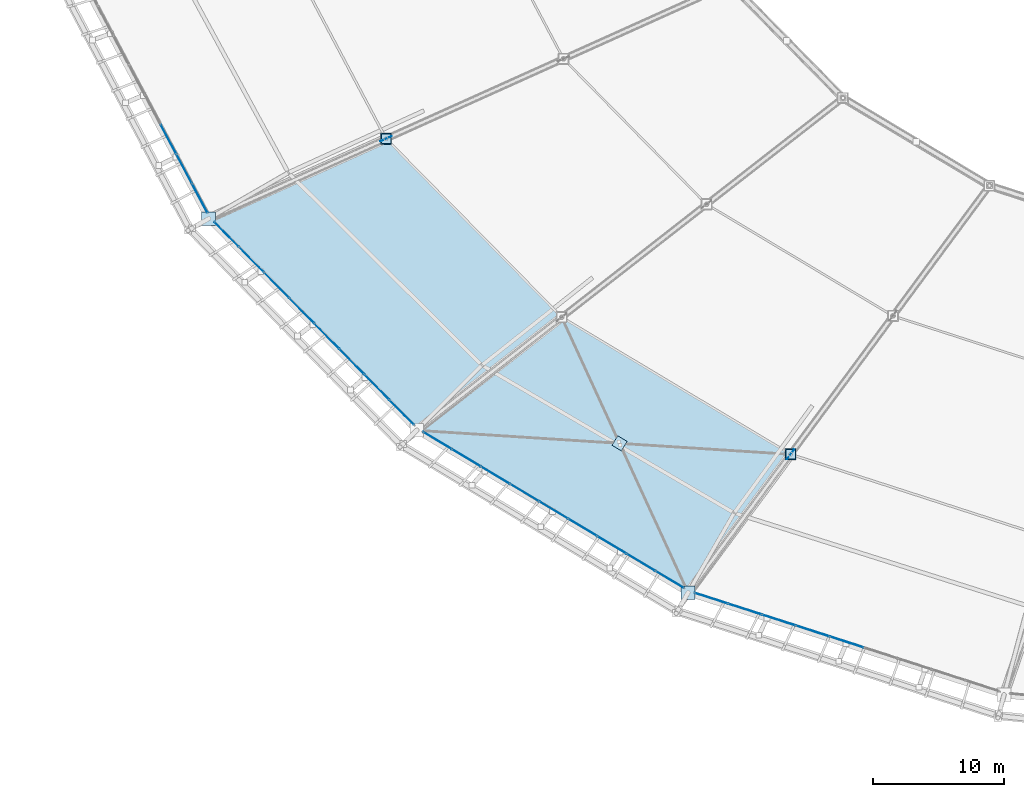
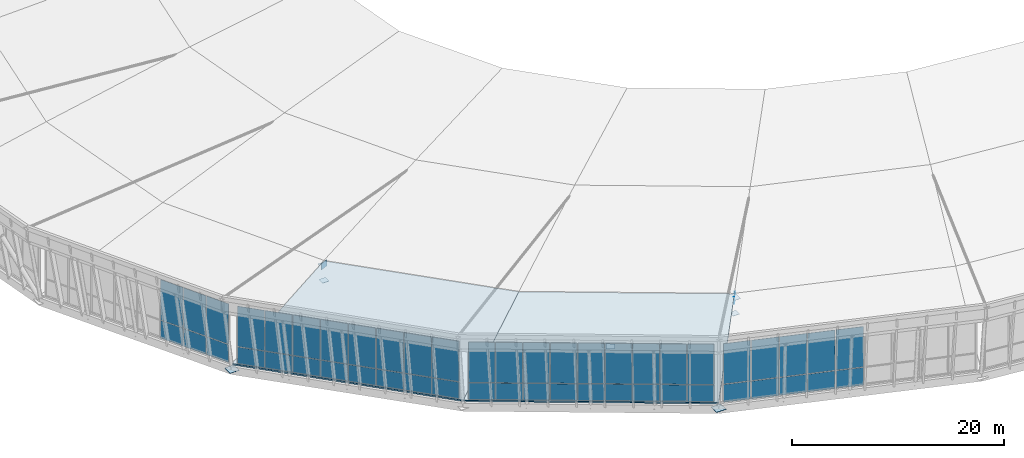
# One storey, part 79 of 115: 59 plates, 2 slabs, 6 elements without a shape of their own.
"""IFC4 building model written with IfcOpenShell, lengths in metres."""

from ifc_helpers import new_model, si_unit, direction, frame, origin, origin_2d, place, context, subcontext, project, spatial, polyline, rectangle, outline, extrude, material, layer, layer_set, type_object, element, aggregate, save


model = new_model("IFC4")

# Units and contexts
model_context = context("Model", 3, precision=1e-05, world=origin(), true_north=direction((0.0, 1.0)))
body_context = subcontext(model_context, "Body", "Model", "MODEL_VIEW")
ifc_project = project(units=[si_unit("LENGTHUNIT", "METRE"), si_unit("AREAUNIT", "SQUARE_METRE"), si_unit("VOLUMEUNIT", "CUBIC_METRE"), si_unit("PLANEANGLEUNIT", "RADIAN"), si_unit("MASSUNIT", "GRAM", prefix="KILO")], contexts=[model_context])

# Site, building, storey
site_placement = place(None, origin())
site = spatial("IfcSite", under=ifc_project, at=site_placement, CompositionType="ELEMENT")
building_placement = place(site_placement, origin())
building = spatial("IfcBuilding", under=site, at=building_placement, Name="Zlatoyarsky Gate Stadium", CompositionType="ELEMENT")
storey_placement = place(building_placement, frame((0.0, 0.0, 31.800048828125)))
storey = spatial("IfcBuildingStorey", under=building, at=storey_placement, Name="RF", CompositionType="ELEMENT", Elevation=31.800048828125)

# Roof, slab
ifc_material_1 = material(Name="Standing-seam aluminium-zinc roofing with mineral wool insulation", Category="aluminium")
ifc_layer_1 = layer(ifc_material_1, 0.080078125)
ifc_layer_set_1 = layer_set([ifc_layer_1], Name="Standing-seam aluminium-zinc roofing with mineral wool insulation")
roof_type = type_object("IfcRoofType", Name="STADIUM BARREL VAULT ROOF ASSEMBLY", PredefinedType="BARREL_ROOF", material=ifc_layer_set_1)
roof_1_placement = place(storey_placement, origin())
roof_1 = element("IfcRoof", 1, at=roof_1_placement, inside=storey, type_object=roof_type, Name="Stadium barrel arch roof sector 5", PredefinedType="BARREL_ROOF")
ifc_material_2 = material(Name="Concrete C40/50", Category="concrete")
ifc_layer_2 = layer(ifc_material_2, 0.199951171875)
ifc_layer_set_2 = layer_set([ifc_layer_2], Name="Concrete C40/50")
slab_type = type_object("IfcSlabType", Name="COMPOSITE STADIUM ROOF DECK SLAB 200", PredefinedType="ROOF", material=ifc_layer_set_2)
slab_1_placement = place(storey_placement, frame((24.37353515625, 40.986083984375, 0.199951171875), z_axis=(-0.168948625829, -0.166192117478, 0.971512502194), x_axis=(0.701266900285, -0.712898824915, -8.8643e-08)))
slab_1 = element("IfcSlab", 2, at=slab_1_placement, type_object=slab_type, Name="Stadium arched roof deck sector 14 bay 1", PredefinedType="ROOF", context=body_context, shape_type="SweptSolid", body=[
    extrude(outline(polyline([(0.0, 0.0), (22.667889468842993, 0.0), (24.273771870630213, 14.346296345083724), (5.151031200888392, 14.346280713684154), (0.0, 0.0)])), origin(), (0.0, 0.0, -1.0), 0.199951171875),
])
aggregate(roof_1, [slab_1])

roof_2_placement = place(storey_placement, origin())
roof_2 = element("IfcRoof", 3, at=roof_2_placement, inside=storey, type_object=roof_type, Name="Stadium barrel arch roof sector 6", PredefinedType="BARREL_ROOF")
slab_2_placement = place(storey_placement, frame((40.269775390625, 24.826171875, 0.199951171875), z_axis=(-0.129152879329, -0.215770189277, 0.967865052154), x_axis=(0.8580340905, -0.51359273704, -4.42967e-07)))
slab_2 = element("IfcSlab", 4, at=slab_2_placement, type_object=slab_type, Name="Stadium arched roof deck sector 15 bay 1", PredefinedType="ROOF", context=body_context, shape_type="SweptSolid", body=[
    extrude(outline(polyline([(0.0, 0.0), (24.1439241753555, 0.0), (25.42773523422691, 13.520147369410285), (5.059922171680651, 13.520068961575207), (0.0, 0.0)])), origin(), (0.0, 0.0, -1.0), 0.199951171875),
])
aggregate(roof_2, [slab_2])

# Plates
ifc_material_3 = material(Name="Steel S355", Category="steel")
ifc_layer_3 = layer(ifc_material_3, 0.02392578125)
ifc_layer_set_3 = layer_set([ifc_layer_3], Name="Steel S355")
plate_type_1 = type_object("IfcPlateType", Name="STEEL COMPRESSION RING NODE CAP SHEET 24", PredefinedType="SHEET", material=ifc_layer_set_3)
for number, where, z_axis, x_axis, name in (
    (5, (24.37353515625, 40.986083984375, -0.4619140625), (0.0, 0.0, 1.0), (1.0, 0.0, 0.0), "Node closure plate ND-CR1 NCAP-CR-14"),
    (6, (60.986083984375, 12.426025390625, -0.4619140625), (0.0, 0.0, 1.0), (1.0, 0.0, 0.0), "Node closure plate ND-CR1 NCAP-CR-16"),
):
    element("IfcPlate", number, at=place(storey_placement, frame(where, z_axis=z_axis, x_axis=x_axis)), inside=storey, type_object=plate_type_1, Name=name, PredefinedType="SHEET", context=body_context, shape_type="SweptSolid", body=[
        extrude(rectangle(XDim=1.050048828125, YDim=1.050048828125, at=origin_2d()), origin(), (0.0, 0.0, 1.0), 0.02392578125),
    ])
ifc_layer_4 = layer(ifc_material_3, 0.02392578125)
ifc_layer_set_4 = layer_set([ifc_layer_4], Name="Steel S355")
plate_type_2 = type_object("IfcPlateType", Name="STEEL HOLLOW CHORD SPLICE SHEET 24", PredefinedType="SHEET", material=ifc_layer_set_4)
plate_1_placement = place(storey_placement, frame((37.921875, 47.087890625, 3.137939453125), z_axis=(0.0, 0.0, 1.0), x_axis=(1.0, 0.0, 0.0)))
element("IfcPlate", 7, at=plate_1_placement, inside=storey, type_object=plate_type_2, Name="Node closure plate ND-SP1 NCAP-TCH-14-1", PredefinedType="SHEET", context=body_context, shape_type="SweptSolid", body=[
    extrude(rectangle(XDim=0.85009765625, YDim=0.85009765625, at=origin_2d()), origin(), (0.0, 0.0, 1.0), 0.02392578125),
])
plate_2_placement = place(storey_placement, frame((37.921875, 47.087890625, 1.337890625), z_axis=(0.0, 0.0, 1.0), x_axis=(1.0, 0.0, 0.0)))
element("IfcPlate", 8, at=plate_2_placement, inside=storey, type_object=plate_type_2, Name="Node closure plate ND-SP1 NCAP-BCH-14-1", PredefinedType="SHEET", context=body_context, shape_type="SweptSolid", body=[
    extrude(rectangle(XDim=0.719970703125, YDim=0.719970703125, at=origin_2d()), origin(), (0.0, 0.0, 1.0), 0.02392578125),
])
plate_3_placement = place(storey_placement, frame((68.808349609375, 22.99462890625, 3.137939453125), z_axis=(0.0, 0.0, 1.0), x_axis=(1.0, 0.0, 0.0)))
element("IfcPlate", 9, at=plate_3_placement, inside=storey, type_object=plate_type_2, Name="Node closure plate ND-SP1 NCAP-TCH-16-1", PredefinedType="SHEET", context=body_context, shape_type="SweptSolid", body=[
    extrude(rectangle(XDim=0.85009765625, YDim=0.85009765625, at=origin_2d()), origin(), (0.0, 0.0, 1.0), 0.02392578125),
])
plate_4_placement = place(storey_placement, frame((68.808349609375, 22.99462890625, 1.337890625), z_axis=(0.0, 0.0, 1.0), x_axis=(1.0, 0.0, 0.0)))
element("IfcPlate", 10, at=plate_4_placement, inside=storey, type_object=plate_type_2, Name="Node closure plate ND-SP1 NCAP-BCH-16-1", PredefinedType="SHEET", context=body_context, shape_type="SweptSolid", body=[
    extrude(rectangle(XDim=0.719970703125, YDim=0.719970703125, at=origin_2d()), origin(), (0.0, 0.0, 1.0), 0.02392578125),
])
ifc_layer_5 = layer(ifc_material_3, 0.031982421875)
ifc_layer_set_5 = layer_set([ifc_layer_5], Name="Steel S355")
plate_type_3 = type_object("IfcPlateType", Name="STEEL RADIAL TRUSS GUSSET PLATE 32", PredefinedType="USERDEFINED", material=ifc_layer_set_5)
for number, where, z_axis, x_axis, name in (
    (11, (37.921875, 47.087890625, 2.7900390625), (0.0, 0.0, 1.0), (0.911795809075, 0.410643887757, 0.0), "Radial truss gusset plate ND-WB1 14.1"),
    (12, (68.808349609375, 22.99462890625, 2.7900390625), (0.0, 0.0, 1.0), (0.594913145096, 0.8037899911, 0.0), "Radial truss gusset plate ND-WB1 16.1"),
):
    element("IfcPlate", number, at=place(storey_placement, frame(where, z_axis=z_axis, x_axis=x_axis)), inside=storey, type_object=plate_type_3, Name=name, ObjectType="GUSSET PLATE", PredefinedType="USERDEFINED", context=body_context, shape_type="SweptSolid", body=[
        extrude(rectangle(XDim=0.919921875, YDim=0.031982421875, at=origin_2d()), origin(), (0.0, 0.0, 1.0), 0.719970703125),
    ])
ifc_layer_6 = layer(ifc_material_3, 0.02392578125)
ifc_layer_set_6 = layer_set([ifc_layer_6], Name="Steel S355")
plate_type_4 = type_object("IfcPlateType", Name="STEEL X BRACE CROSSING NODE PLATE 24", PredefinedType="USERDEFINED", material=ifc_layer_set_6)
plate_5_placement = place(storey_placement, frame((55.74951171875, 23.832763671875, 1.582275390625), z_axis=(0.0, 0.0, 1.0), x_axis=(0.858064905724, -0.513541252058, 0.0)))
element("IfcPlate", 13, at=plate_5_placement, inside=storey, type_object=plate_type_4, Name="Roof wind X-brace crossing gusset plate ND-XB1 15", ObjectType="GUSSET PLATE", PredefinedType="USERDEFINED", context=body_context, shape_type="SweptSolid", body=[
    extrude(rectangle(XDim=0.840087890625, YDim=0.840087890625, at=origin_2d()), origin(), (0.0, 0.0, 1.0), 0.02392578125),
])

# Curtain wall, plates
ifc_material_4 = material(Name="Thermally broken anodised aluminium curtain wall", Category="aluminium")
curtain_wall_type = type_object("IfcCurtainWallType", Name="UNITISED SKYBOX RING GLAZING L05", PredefinedType="USERDEFINED", material=ifc_material_4)
curtain_wall_1_placement = place(storey_placement, origin())
curtain_wall_1 = element("IfcCurtainWall", 14, at=curtain_wall_1_placement, inside=storey, type_object=curtain_wall_type, Name="Curtain wall CW-RF-13", ObjectType="UNITISED GLAZING", PredefinedType="USERDEFINED")
ifc_material_5 = material(Name="Triple-glazed argon low-e architectural glass", Category="glass")
ifc_layer_7 = layer(ifc_material_5, 0.0380859375)
ifc_layer_set_7 = layer_set([ifc_layer_7], Name="Triple-glazed argon low-e architectural glass")
plate_type_5 = type_object("IfcPlateType", Name="TRIPLE GLAZED LOW E CURTAIN PANEL 38", PredefinedType="CURTAIN_PANEL", material=ifc_layer_set_7)
plate_6_placement = place(storey_placement, frame((21.30615234375, 47.05908203125, 0.06494140625), z_axis=(0.0, 0.0, 1.0), x_axis=(0.469126652345, -0.883130898599, 0.0)))
plate_6 = element("IfcPlate", 15, at=plate_6_placement, type_object=plate_type_5, Name="CW-UG5 panel 6.1", PredefinedType="CURTAIN_PANEL", context=body_context, shape_type="SweptSolid", body=[
    extrude(rectangle(XDim=2.493896484375, YDim=0.0380859375, at=origin_2d()), origin(), (0.0, 0.0, 1.0), 2.052490234375),
])
plate_7_placement = place(storey_placement, frame((21.30615234375, 47.05908203125, 2.1826171875), z_axis=(0.0, 0.0, 1.0), x_axis=(0.469126652345, -0.883130898599, 0.0)))
plate_7 = element("IfcPlate", 16, at=plate_7_placement, type_object=plate_type_5, Name="CW-UG5 panel 6.2", PredefinedType="CURTAIN_PANEL", context=body_context, shape_type="SweptSolid", body=[
    extrude(rectangle(XDim=2.493896484375, YDim=0.0380859375, at=origin_2d()), origin(), (0.0, 0.0, 1.0), 4.652587890625),
])
plate_8_placement = place(storey_placement, frame((22.50634765625, 44.79931640625, 0.06494140625), z_axis=(0.0, 0.0, 1.0), x_axis=(0.469126652345, -0.883130898599, 0.0)))
plate_8 = element("IfcPlate", 17, at=plate_8_placement, type_object=plate_type_5, Name="CW-UG5 panel 7.1", PredefinedType="CURTAIN_PANEL", context=body_context, shape_type="SweptSolid", body=[
    extrude(rectangle(XDim=2.493896484375, YDim=0.0380859375, at=origin_2d()), origin(), (0.0, 0.0, 1.0), 2.052490234375),
])
plate_9_placement = place(storey_placement, frame((22.50634765625, 44.79931640625, 2.1826171875), z_axis=(0.0, 0.0, 1.0), x_axis=(0.469126652345, -0.883130898599, 0.0)))
plate_9 = element("IfcPlate", 18, at=plate_9_placement, type_object=plate_type_5, Name="CW-UG5 panel 7.2", PredefinedType="CURTAIN_PANEL", context=body_context, shape_type="SweptSolid", body=[
    extrude(rectangle(XDim=2.493896484375, YDim=0.0380859375, at=origin_2d()), origin(), (0.0, 0.0, 1.0), 4.652587890625),
])
plate_10_placement = place(storey_placement, frame((23.69921875, 42.5537109375, 0.06494140625), z_axis=(0.0, 0.0, 1.0), x_axis=(0.469126652345, -0.883130898599, 0.0)))
plate_10 = element("IfcPlate", 19, at=plate_10_placement, type_object=plate_type_5, Name="CW-UG5 panel 8.1", PredefinedType="CURTAIN_PANEL", context=body_context, shape_type="SweptSolid", body=[
    extrude(rectangle(XDim=2.46142578125, YDim=0.0380859375, at=origin_2d()), origin(), (0.0, 0.0, 1.0), 2.052490234375),
])
plate_11_placement = place(storey_placement, frame((23.69921875, 42.5537109375, 2.1826171875), z_axis=(0.0, 0.0, 1.0), x_axis=(0.469126652345, -0.883130898599, 0.0)))
plate_11 = element("IfcPlate", 20, at=plate_11_placement, type_object=plate_type_5, Name="CW-UG5 panel 8.2", PredefinedType="CURTAIN_PANEL", context=body_context, shape_type="SweptSolid", body=[
    extrude(rectangle(XDim=2.46142578125, YDim=0.0380859375, at=origin_2d()), origin(), (0.0, 0.0, 1.0), 4.652587890625),
])
aggregate(curtain_wall_1, [plate_6, plate_7, plate_8, plate_9, plate_10, plate_11])

curtain_wall_2_placement = place(storey_placement, origin())
curtain_wall_2 = element("IfcCurtainWall", 21, at=curtain_wall_2_placement, inside=storey, type_object=curtain_wall_type, Name="Curtain wall CW-RF-14", ObjectType="UNITISED GLAZING", PredefinedType="USERDEFINED")
plate_12_placement = place(storey_placement, frame((25.743896484375, 39.786865234375, 0.06494140625), z_axis=(0.0, 0.0, 1.0), x_axis=(0.701401848456, -0.712766053473, 0.0)))
plate_12 = element("IfcPlate", 22, at=plate_12_placement, type_object=plate_type_5, Name="CW-UG5 panel 1.1", PredefinedType="CURTAIN_PANEL", context=body_context, shape_type="SweptSolid", body=[
    extrude(rectangle(XDim=2.63134765625, YDim=0.0380859375, at=origin_2d()), origin(), (0.0, 0.0, 1.0), 2.052490234375),
])
plate_13_placement = place(storey_placement, frame((25.743896484375, 39.786865234375, 2.1826171875), z_axis=(0.0, 0.0, 1.0), x_axis=(0.701401848456, -0.712766053473, 0.0)))
plate_13 = element("IfcPlate", 23, at=plate_13_placement, type_object=plate_type_5, Name="CW-UG5 panel 1.2", PredefinedType="CURTAIN_PANEL", context=body_context, shape_type="SweptSolid", body=[
    extrude(rectangle(XDim=2.63134765625, YDim=0.0380859375, at=origin_2d()), origin(), (0.0, 0.0, 1.0), 4.652587890625),
])
plate_14_placement = place(storey_placement, frame((27.646484375, 37.853515625, 0.06494140625), z_axis=(0.0, 0.0, 1.0), x_axis=(0.701401848456, -0.712766053473, 0.0)))
plate_14 = element("IfcPlate", 24, at=plate_14_placement, type_object=plate_type_5, Name="CW-UG5 panel 2.1", PredefinedType="CURTAIN_PANEL", context=body_context, shape_type="SweptSolid", body=[
    extrude(rectangle(XDim=2.6640625, YDim=0.0380859375, at=origin_2d()), origin(), (0.0, 0.0, 1.0), 2.052490234375),
])
plate_15_placement = place(storey_placement, frame((27.646484375, 37.853515625, 2.1826171875), z_axis=(0.0, 0.0, 1.0), x_axis=(0.701401848456, -0.712766053473, 0.0)))
plate_15 = element("IfcPlate", 25, at=plate_15_placement, type_object=plate_type_5, Name="CW-UG5 panel 2.2", PredefinedType="CURTAIN_PANEL", context=body_context, shape_type="SweptSolid", body=[
    extrude(rectangle(XDim=2.6640625, YDim=0.0380859375, at=origin_2d()), origin(), (0.0, 0.0, 1.0), 4.652587890625),
])
plate_16_placement = place(storey_placement, frame((29.560546875, 35.908203125, 0.06494140625), z_axis=(0.0, 0.0, 1.0), x_axis=(0.701401848456, -0.712766053473, 0.0)))
plate_16 = element("IfcPlate", 26, at=plate_16_placement, type_object=plate_type_5, Name="CW-UG5 panel 3.1", PredefinedType="CURTAIN_PANEL", context=body_context, shape_type="SweptSolid", body=[
    extrude(rectangle(XDim=2.6640625, YDim=0.0380859375, at=origin_2d()), origin(), (0.0, 0.0, 1.0), 2.052490234375),
])
plate_17_placement = place(storey_placement, frame((29.560546875, 35.908203125, 2.1826171875), z_axis=(0.0, 0.0, 1.0), x_axis=(0.701401848456, -0.712766053473, 0.0)))
plate_17 = element("IfcPlate", 27, at=plate_17_placement, type_object=plate_type_5, Name="CW-UG5 panel 3.2", PredefinedType="CURTAIN_PANEL", context=body_context, shape_type="SweptSolid", body=[
    extrude(rectangle(XDim=2.6640625, YDim=0.0380859375, at=origin_2d()), origin(), (0.0, 0.0, 1.0), 4.652587890625),
])
plate_18_placement = place(storey_placement, frame((31.474853515625, 33.963134765625, 0.06494140625), z_axis=(0.0, 0.0, 1.0), x_axis=(0.701401848456, -0.712766053473, 0.0)))
plate_18 = element("IfcPlate", 28, at=plate_18_placement, type_object=plate_type_5, Name="CW-UG5 panel 4.1", PredefinedType="CURTAIN_PANEL", context=body_context, shape_type="SweptSolid", body=[
    extrude(rectangle(XDim=2.6640625, YDim=0.0380859375, at=origin_2d()), origin(), (0.0, 0.0, 1.0), 2.052490234375),
])
plate_19_placement = place(storey_placement, frame((31.474853515625, 33.963134765625, 2.1826171875), z_axis=(0.0, 0.0, 1.0), x_axis=(0.701401848456, -0.712766053473, 0.0)))
plate_19 = element("IfcPlate", 29, at=plate_19_placement, type_object=plate_type_5, Name="CW-UG5 panel 4.2", PredefinedType="CURTAIN_PANEL", context=body_context, shape_type="SweptSolid", body=[
    extrude(rectangle(XDim=2.6640625, YDim=0.0380859375, at=origin_2d()), origin(), (0.0, 0.0, 1.0), 4.652587890625),
])
plate_20_placement = place(storey_placement, frame((33.388916015625, 32.01806640625, 0.06494140625), z_axis=(0.0, 0.0, 1.0), x_axis=(0.701401848456, -0.712766053473, 0.0)))
plate_20 = element("IfcPlate", 30, at=plate_20_placement, type_object=plate_type_5, Name="CW-UG5 panel 5.1", PredefinedType="CURTAIN_PANEL", context=body_context, shape_type="SweptSolid", body=[
    extrude(rectangle(XDim=2.6640625, YDim=0.0380859375, at=origin_2d()), origin(), (0.0, 0.0, 1.0), 2.052490234375),
])
plate_21_placement = place(storey_placement, frame((33.388916015625, 32.01806640625, 2.1826171875), z_axis=(0.0, 0.0, 1.0), x_axis=(0.701401848456, -0.712766053473, 0.0)))
plate_21 = element("IfcPlate", 31, at=plate_21_placement, type_object=plate_type_5, Name="CW-UG5 panel 5.2", PredefinedType="CURTAIN_PANEL", context=body_context, shape_type="SweptSolid", body=[
    extrude(rectangle(XDim=2.6640625, YDim=0.0380859375, at=origin_2d()), origin(), (0.0, 0.0, 1.0), 4.652587890625),
])
plate_22_placement = place(storey_placement, frame((35.302978515625, 30.072998046875, 0.06494140625), z_axis=(0.0, 0.0, 1.0), x_axis=(0.701401848456, -0.712766053473, 0.0)))
plate_22 = element("IfcPlate", 32, at=plate_22_placement, type_object=plate_type_5, Name="CW-UG5 panel 6.1", PredefinedType="CURTAIN_PANEL", context=body_context, shape_type="SweptSolid", body=[
    extrude(rectangle(XDim=2.6640625, YDim=0.0380859375, at=origin_2d()), origin(), (0.0, 0.0, 1.0), 2.052490234375),
])
plate_23_placement = place(storey_placement, frame((35.302978515625, 30.072998046875, 2.1826171875), z_axis=(0.0, 0.0, 1.0), x_axis=(0.701401848456, -0.712766053473, 0.0)))
plate_23 = element("IfcPlate", 33, at=plate_23_placement, type_object=plate_type_5, Name="CW-UG5 panel 6.2", PredefinedType="CURTAIN_PANEL", context=body_context, shape_type="SweptSolid", body=[
    extrude(rectangle(XDim=2.6640625, YDim=0.0380859375, at=origin_2d()), origin(), (0.0, 0.0, 1.0), 4.652587890625),
])
plate_24_placement = place(storey_placement, frame((37.217041015625, 28.1279296875, 0.06494140625), z_axis=(0.0, 0.0, 1.0), x_axis=(0.701401848456, -0.712766053473, 0.0)))
plate_24 = element("IfcPlate", 34, at=plate_24_placement, type_object=plate_type_5, Name="CW-UG5 panel 7.1", PredefinedType="CURTAIN_PANEL", context=body_context, shape_type="SweptSolid", body=[
    extrude(rectangle(XDim=2.6640625, YDim=0.0380859375, at=origin_2d()), origin(), (0.0, 0.0, 1.0), 2.052490234375),
])
plate_25_placement = place(storey_placement, frame((37.217041015625, 28.1279296875, 2.1826171875), z_axis=(0.0, 0.0, 1.0), x_axis=(0.701401848456, -0.712766053473, 0.0)))
plate_25 = element("IfcPlate", 35, at=plate_25_placement, type_object=plate_type_5, Name="CW-UG5 panel 7.2", PredefinedType="CURTAIN_PANEL", context=body_context, shape_type="SweptSolid", body=[
    extrude(rectangle(XDim=2.6640625, YDim=0.0380859375, at=origin_2d()), origin(), (0.0, 0.0, 1.0), 4.652587890625),
])
plate_26_placement = place(storey_placement, frame((39.119873046875, 26.1943359375, 0.06494140625), z_axis=(0.0, 0.0, 1.0), x_axis=(0.701401848456, -0.712766053473, 0.0)))
plate_26 = element("IfcPlate", 36, at=plate_26_placement, type_object=plate_type_5, Name="CW-UG5 panel 8.1", PredefinedType="CURTAIN_PANEL", context=body_context, shape_type="SweptSolid", body=[
    extrude(rectangle(XDim=2.63134765625, YDim=0.0380859375, at=origin_2d()), origin(), (0.0, 0.0, 1.0), 2.052490234375),
])
plate_27_placement = place(storey_placement, frame((39.119873046875, 26.1943359375, 2.1826171875), z_axis=(0.0, 0.0, 1.0), x_axis=(0.701401848456, -0.712766053473, 0.0)))
plate_27 = element("IfcPlate", 37, at=plate_27_placement, type_object=plate_type_5, Name="CW-UG5 panel 8.2", PredefinedType="CURTAIN_PANEL", context=body_context, shape_type="SweptSolid", body=[
    extrude(rectangle(XDim=2.63134765625, YDim=0.0380859375, at=origin_2d()), origin(), (0.0, 0.0, 1.0), 4.652587890625),
])
aggregate(curtain_wall_2, [plate_12, plate_13, plate_14, plate_15, plate_16, plate_17, plate_18, plate_19, plate_20, plate_21, plate_22, plate_23, plate_24, plate_25, plate_26, plate_27])

curtain_wall_3_placement = place(storey_placement, origin())
curtain_wall_3 = element("IfcCurtainWall", 38, at=curtain_wall_3_placement, inside=storey, type_object=curtain_wall_type, Name="Curtain wall CW-RF-15", ObjectType="UNITISED GLAZING", PredefinedType="USERDEFINED")
plate_28_placement = place(storey_placement, frame((41.837158203125, 24.046630859375, 0.06494140625), z_axis=(0.0, 0.0, 1.0), x_axis=(0.858127891517, -0.513435995817, 0.0)))
plate_28 = element("IfcPlate", 39, at=plate_28_placement, type_object=plate_type_5, Name="CW-UG5 panel 1.1", PredefinedType="CURTAIN_PANEL", context=body_context, shape_type="SweptSolid", body=[
    extrude(rectangle(XDim=2.4921875, YDim=0.0380859375, at=origin_2d()), origin(), (0.0, 0.0, 1.0), 2.052490234375),
])
plate_29_placement = place(storey_placement, frame((41.837158203125, 24.046630859375, 2.1826171875), z_axis=(0.0, 0.0, 1.0), x_axis=(0.858127891517, -0.513435995817, 0.0)))
plate_29 = element("IfcPlate", 40, at=plate_29_placement, type_object=plate_type_5, Name="CW-UG5 panel 1.2", PredefinedType="CURTAIN_PANEL", context=body_context, shape_type="SweptSolid", body=[
    extrude(rectangle(XDim=2.4921875, YDim=0.0380859375, at=origin_2d()), origin(), (0.0, 0.0, 1.0), 4.652587890625),
])
plate_30_placement = place(storey_placement, frame((44.045654296875, 22.72509765625, 0.06494140625), z_axis=(0.0, 0.0, 1.0), x_axis=(0.858127891517, -0.513435995817, 0.0)))
plate_30 = element("IfcPlate", 41, at=plate_30_placement, type_object=plate_type_5, Name="CW-UG5 panel 2.1", PredefinedType="CURTAIN_PANEL", context=body_context, shape_type="SweptSolid", body=[
    extrude(rectangle(XDim=2.524658203125, YDim=0.0380859375, at=origin_2d()), origin(), (0.0, 0.0, 1.0), 2.052490234375),
])
plate_31_placement = place(storey_placement, frame((44.045654296875, 22.72509765625, 2.1826171875), z_axis=(0.0, 0.0, 1.0), x_axis=(0.858127891517, -0.513435995817, 0.0)))
plate_31 = element("IfcPlate", 42, at=plate_31_placement, type_object=plate_type_5, Name="CW-UG5 panel 2.2", PredefinedType="CURTAIN_PANEL", context=body_context, shape_type="SweptSolid", body=[
    extrude(rectangle(XDim=2.524658203125, YDim=0.0380859375, at=origin_2d()), origin(), (0.0, 0.0, 1.0), 4.652587890625),
])
plate_32_placement = place(storey_placement, frame((46.267822265625, 21.3955078125, 0.06494140625), z_axis=(0.0, 0.0, 1.0), x_axis=(0.858127891517, -0.513435995817, 0.0)))
plate_32 = element("IfcPlate", 43, at=plate_32_placement, type_object=plate_type_5, Name="CW-UG5 panel 3.1", PredefinedType="CURTAIN_PANEL", context=body_context, shape_type="SweptSolid", body=[
    extrude(rectangle(XDim=2.524658203125, YDim=0.0380859375, at=origin_2d()), origin(), (0.0, 0.0, 1.0), 2.052490234375),
])
plate_33_placement = place(storey_placement, frame((46.267822265625, 21.3955078125, 2.1826171875), z_axis=(0.0, 0.0, 1.0), x_axis=(0.858127891517, -0.513435995817, 0.0)))
plate_33 = element("IfcPlate", 44, at=plate_33_placement, type_object=plate_type_5, Name="CW-UG5 panel 3.2", PredefinedType="CURTAIN_PANEL", context=body_context, shape_type="SweptSolid", body=[
    extrude(rectangle(XDim=2.524658203125, YDim=0.0380859375, at=origin_2d()), origin(), (0.0, 0.0, 1.0), 4.652587890625),
])
plate_34_placement = place(storey_placement, frame((48.490234375, 20.06591796875, 0.06494140625), z_axis=(0.0, 0.0, 1.0), x_axis=(0.858127891517, -0.513435995817, 0.0)))
plate_34 = element("IfcPlate", 45, at=plate_34_placement, type_object=plate_type_5, Name="CW-UG5 panel 4.1", PredefinedType="CURTAIN_PANEL", context=body_context, shape_type="SweptSolid", body=[
    extrude(rectangle(XDim=2.524658203125, YDim=0.0380859375, at=origin_2d()), origin(), (0.0, 0.0, 1.0), 2.052490234375),
])
plate_35_placement = place(storey_placement, frame((48.490234375, 20.06591796875, 2.1826171875), z_axis=(0.0, 0.0, 1.0), x_axis=(0.858127891517, -0.513435995817, 0.0)))
plate_35 = element("IfcPlate", 46, at=plate_35_placement, type_object=plate_type_5, Name="CW-UG5 panel 4.2", PredefinedType="CURTAIN_PANEL", context=body_context, shape_type="SweptSolid", body=[
    extrude(rectangle(XDim=2.524658203125, YDim=0.0380859375, at=origin_2d()), origin(), (0.0, 0.0, 1.0), 4.652587890625),
])
plate_36_placement = place(storey_placement, frame((50.71240234375, 18.736328125, 0.06494140625), z_axis=(0.0, 0.0, 1.0), x_axis=(0.858127891517, -0.513435995817, 0.0)))
plate_36 = element("IfcPlate", 47, at=plate_36_placement, type_object=plate_type_5, Name="CW-UG5 panel 5.1", PredefinedType="CURTAIN_PANEL", context=body_context, shape_type="SweptSolid", body=[
    extrude(rectangle(XDim=2.524658203125, YDim=0.0380859375, at=origin_2d()), origin(), (0.0, 0.0, 1.0), 2.052490234375),
])
plate_37_placement = place(storey_placement, frame((50.71240234375, 18.736328125, 2.1826171875), z_axis=(0.0, 0.0, 1.0), x_axis=(0.858127891517, -0.513435995817, 0.0)))
plate_37 = element("IfcPlate", 48, at=plate_37_placement, type_object=plate_type_5, Name="CW-UG5 panel 5.2", PredefinedType="CURTAIN_PANEL", context=body_context, shape_type="SweptSolid", body=[
    extrude(rectangle(XDim=2.524658203125, YDim=0.0380859375, at=origin_2d()), origin(), (0.0, 0.0, 1.0), 4.652587890625),
])
plate_38_placement = place(storey_placement, frame((52.934814453125, 17.406494140625, 0.06494140625), z_axis=(0.0, 0.0, 1.0), x_axis=(0.858127891517, -0.513435995817, 0.0)))
plate_38 = element("IfcPlate", 49, at=plate_38_placement, type_object=plate_type_5, Name="CW-UG5 panel 6.1", PredefinedType="CURTAIN_PANEL", context=body_context, shape_type="SweptSolid", body=[
    extrude(rectangle(XDim=2.524658203125, YDim=0.0380859375, at=origin_2d()), origin(), (0.0, 0.0, 1.0), 2.052490234375),
])
plate_39_placement = place(storey_placement, frame((52.934814453125, 17.406494140625, 2.1826171875), z_axis=(0.0, 0.0, 1.0), x_axis=(0.858127891517, -0.513435995817, 0.0)))
plate_39 = element("IfcPlate", 50, at=plate_39_placement, type_object=plate_type_5, Name="CW-UG5 panel 6.2", PredefinedType="CURTAIN_PANEL", context=body_context, shape_type="SweptSolid", body=[
    extrude(rectangle(XDim=2.524658203125, YDim=0.0380859375, at=origin_2d()), origin(), (0.0, 0.0, 1.0), 4.652587890625),
])
plate_40_placement = place(storey_placement, frame((55.1572265625, 16.076904296875, 0.06494140625), z_axis=(0.0, 0.0, 1.0), x_axis=(0.858127891517, -0.513435995817, 0.0)))
plate_40 = element("IfcPlate", 51, at=plate_40_placement, type_object=plate_type_5, Name="CW-UG5 panel 7.1", PredefinedType="CURTAIN_PANEL", context=body_context, shape_type="SweptSolid", body=[
    extrude(rectangle(XDim=2.524658203125, YDim=0.0380859375, at=origin_2d()), origin(), (0.0, 0.0, 1.0), 2.052490234375),
])
plate_41_placement = place(storey_placement, frame((55.1572265625, 16.076904296875, 2.1826171875), z_axis=(0.0, 0.0, 1.0), x_axis=(0.858127891517, -0.513435995817, 0.0)))
plate_41 = element("IfcPlate", 52, at=plate_41_placement, type_object=plate_type_5, Name="CW-UG5 panel 7.2", PredefinedType="CURTAIN_PANEL", context=body_context, shape_type="SweptSolid", body=[
    extrude(rectangle(XDim=2.524658203125, YDim=0.0380859375, at=origin_2d()), origin(), (0.0, 0.0, 1.0), 4.652587890625),
])
plate_42_placement = place(storey_placement, frame((57.37939453125, 14.747314453125, 0.06494140625), z_axis=(0.0, 0.0, 1.0), x_axis=(0.858127891517, -0.513435995817, 0.0)))
plate_42 = element("IfcPlate", 53, at=plate_42_placement, type_object=plate_type_5, Name="CW-UG5 panel 8.1", PredefinedType="CURTAIN_PANEL", context=body_context, shape_type="SweptSolid", body=[
    extrude(rectangle(XDim=2.524658203125, YDim=0.0380859375, at=origin_2d()), origin(), (0.0, 0.0, 1.0), 2.052490234375),
])
plate_43_placement = place(storey_placement, frame((57.37939453125, 14.747314453125, 2.1826171875), z_axis=(0.0, 0.0, 1.0), x_axis=(0.858127891517, -0.513435995817, 0.0)))
plate_43 = element("IfcPlate", 54, at=plate_43_placement, type_object=plate_type_5, Name="CW-UG5 panel 8.2", PredefinedType="CURTAIN_PANEL", context=body_context, shape_type="SweptSolid", body=[
    extrude(rectangle(XDim=2.524658203125, YDim=0.0380859375, at=origin_2d()), origin(), (0.0, 0.0, 1.0), 4.652587890625),
])
plate_44_placement = place(storey_placement, frame((59.587890625, 13.426025390625, 0.06494140625), z_axis=(0.0, 0.0, 1.0), x_axis=(0.858127891517, -0.513435995817, 0.0)))
plate_44 = element("IfcPlate", 55, at=plate_44_placement, type_object=plate_type_5, Name="CW-UG5 panel 9.1", PredefinedType="CURTAIN_PANEL", context=body_context, shape_type="SweptSolid", body=[
    extrude(rectangle(XDim=2.4921875, YDim=0.0380859375, at=origin_2d()), origin(), (0.0, 0.0, 1.0), 2.052490234375),
])
plate_45_placement = place(storey_placement, frame((59.587890625, 13.426025390625, 2.1826171875), z_axis=(0.0, 0.0, 1.0), x_axis=(0.858127891517, -0.513435995817, 0.0)))
plate_45 = element("IfcPlate", 56, at=plate_45_placement, type_object=plate_type_5, Name="CW-UG5 panel 9.2", PredefinedType="CURTAIN_PANEL", context=body_context, shape_type="SweptSolid", body=[
    extrude(rectangle(XDim=2.4921875, YDim=0.0380859375, at=origin_2d()), origin(), (0.0, 0.0, 1.0), 4.652587890625),
])
aggregate(curtain_wall_3, [plate_28, plate_29, plate_30, plate_31, plate_32, plate_33, plate_34, plate_35, plate_36, plate_37, plate_38, plate_39, plate_40, plate_41, plate_42, plate_43, plate_44, plate_45])

curtain_wall_4_placement = place(storey_placement, origin())
curtain_wall_4 = element("IfcCurtainWall", 57, at=curtain_wall_4_placement, inside=storey, type_object=curtain_wall_type, Name="Curtain wall CW-RF-16", ObjectType="UNITISED GLAZING", PredefinedType="USERDEFINED")
plate_46_placement = place(storey_placement, frame((62.748291015625, 12.0009765625, 0.06494140625), z_axis=(0.0, 0.0, 1.0), x_axis=(0.951595836439, -0.307352182475, 0.0)))
plate_46 = element("IfcPlate", 58, at=plate_46_placement, type_object=plate_type_5, Name="CW-UG5 panel 1.1", PredefinedType="CURTAIN_PANEL", context=body_context, shape_type="SweptSolid", body=[
    extrude(rectangle(XDim=2.62646484375, YDim=0.0380859375, at=origin_2d()), origin(), (0.0, 0.0, 1.0), 2.052490234375),
])
plate_47_placement = place(storey_placement, frame((62.748291015625, 12.0009765625, 2.1826171875), z_axis=(0.0, 0.0, 1.0), x_axis=(0.951595836439, -0.307352182475, 0.0)))
plate_47 = element("IfcPlate", 59, at=plate_47_placement, type_object=plate_type_5, Name="CW-UG5 panel 1.2", PredefinedType="CURTAIN_PANEL", context=body_context, shape_type="SweptSolid", body=[
    extrude(rectangle(XDim=2.62646484375, YDim=0.0380859375, at=origin_2d()), origin(), (0.0, 0.0, 1.0), 4.652587890625),
])
plate_48_placement = place(storey_placement, frame((65.3251953125, 11.168701171875, 0.06494140625), z_axis=(0.0, 0.0, 1.0), x_axis=(0.951595836439, -0.307352182475, 0.0)))
plate_48 = element("IfcPlate", 60, at=plate_48_placement, type_object=plate_type_5, Name="CW-UG5 panel 2.1", PredefinedType="CURTAIN_PANEL", context=body_context, shape_type="SweptSolid", body=[
    extrude(rectangle(XDim=2.658935546875, YDim=0.0380859375, at=origin_2d()), origin(), (0.0, 0.0, 1.0), 2.052490234375),
])
plate_49_placement = place(storey_placement, frame((65.3251953125, 11.168701171875, 2.1826171875), z_axis=(0.0, 0.0, 1.0), x_axis=(0.951595836439, -0.307352182475, 0.0)))
plate_49 = element("IfcPlate", 61, at=plate_49_placement, type_object=plate_type_5, Name="CW-UG5 panel 2.2", PredefinedType="CURTAIN_PANEL", context=body_context, shape_type="SweptSolid", body=[
    extrude(rectangle(XDim=2.658935546875, YDim=0.0380859375, at=origin_2d()), origin(), (0.0, 0.0, 1.0), 4.652587890625),
])
plate_50_placement = place(storey_placement, frame((67.917236328125, 10.331298828125, 0.06494140625), z_axis=(0.0, 0.0, 1.0), x_axis=(0.951595836439, -0.307352182475, 0.0)))
plate_50 = element("IfcPlate", 62, at=plate_50_placement, type_object=plate_type_5, Name="CW-UG5 panel 3.1", PredefinedType="CURTAIN_PANEL", context=body_context, shape_type="SweptSolid", body=[
    extrude(rectangle(XDim=2.658935546875, YDim=0.0380859375, at=origin_2d()), origin(), (0.0, 0.0, 1.0), 2.052490234375),
])
plate_51_placement = place(storey_placement, frame((67.917236328125, 10.331298828125, 2.1826171875), z_axis=(0.0, 0.0, 1.0), x_axis=(0.951595836439, -0.307352182475, 0.0)))
plate_51 = element("IfcPlate", 63, at=plate_51_placement, type_object=plate_type_5, Name="CW-UG5 panel 3.2", PredefinedType="CURTAIN_PANEL", context=body_context, shape_type="SweptSolid", body=[
    extrude(rectangle(XDim=2.658935546875, YDim=0.0380859375, at=origin_2d()), origin(), (0.0, 0.0, 1.0), 4.652587890625),
])
plate_52_placement = place(storey_placement, frame((70.509521484375, 9.494140625, 0.06494140625), z_axis=(0.0, 0.0, 1.0), x_axis=(0.951595836439, -0.307352182475, 0.0)))
plate_52 = element("IfcPlate", 64, at=plate_52_placement, type_object=plate_type_5, Name="CW-UG5 panel 4.1", PredefinedType="CURTAIN_PANEL", context=body_context, shape_type="SweptSolid", body=[
    extrude(rectangle(XDim=2.658935546875, YDim=0.0380859375, at=origin_2d()), origin(), (0.0, 0.0, 1.0), 2.052490234375),
])
plate_53_placement = place(storey_placement, frame((70.509521484375, 9.494140625, 2.1826171875), z_axis=(0.0, 0.0, 1.0), x_axis=(0.951595836439, -0.307352182475, 0.0)))
plate_53 = element("IfcPlate", 65, at=plate_53_placement, type_object=plate_type_5, Name="CW-UG5 panel 4.2", PredefinedType="CURTAIN_PANEL", context=body_context, shape_type="SweptSolid", body=[
    extrude(rectangle(XDim=2.658935546875, YDim=0.0380859375, at=origin_2d()), origin(), (0.0, 0.0, 1.0), 4.652587890625),
])
plate_54_placement = place(storey_placement, frame((73.101806640625, 8.656982421875, 0.06494140625), z_axis=(0.0, 0.0, 1.0), x_axis=(0.951595836439, -0.307352182475, 0.0)))
plate_54 = element("IfcPlate", 66, at=plate_54_placement, type_object=plate_type_5, Name="CW-UG5 panel 5.1", PredefinedType="CURTAIN_PANEL", context=body_context, shape_type="SweptSolid", body=[
    extrude(rectangle(XDim=2.658935546875, YDim=0.0380859375, at=origin_2d()), origin(), (0.0, 0.0, 1.0), 2.052490234375),
])
plate_55_placement = place(storey_placement, frame((73.101806640625, 8.656982421875, 2.1826171875), z_axis=(0.0, 0.0, 1.0), x_axis=(0.951595836439, -0.307352182475, 0.0)))
plate_55 = element("IfcPlate", 67, at=plate_55_placement, type_object=plate_type_5, Name="CW-UG5 panel 5.2", PredefinedType="CURTAIN_PANEL", context=body_context, shape_type="SweptSolid", body=[
    extrude(rectangle(XDim=2.658935546875, YDim=0.0380859375, at=origin_2d()), origin(), (0.0, 0.0, 1.0), 4.652587890625),
])
aggregate(curtain_wall_4, [plate_46, plate_47, plate_48, plate_49, plate_50, plate_51, plate_52, plate_53, plate_54, plate_55])

save(model, "model.ifc")
